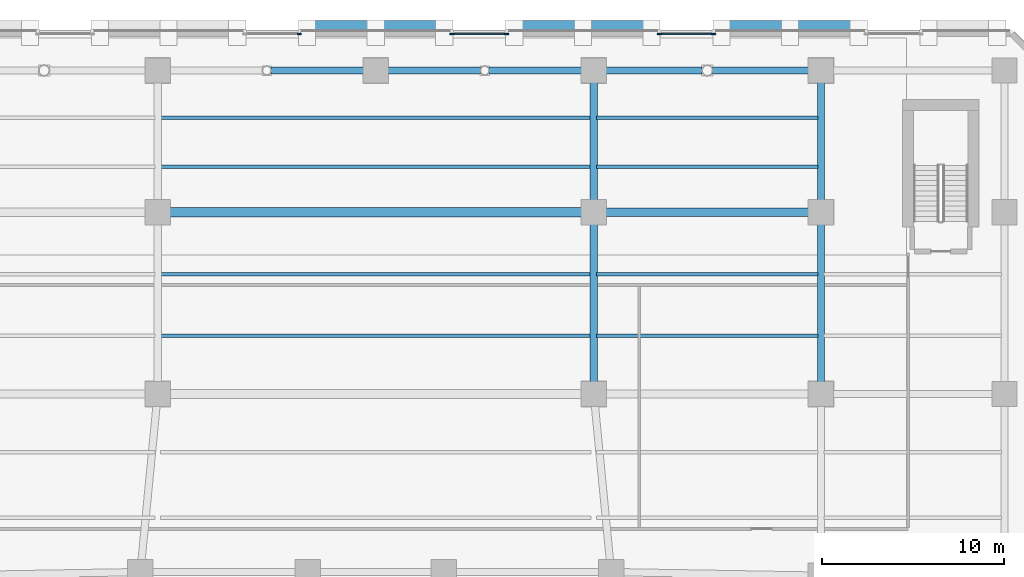
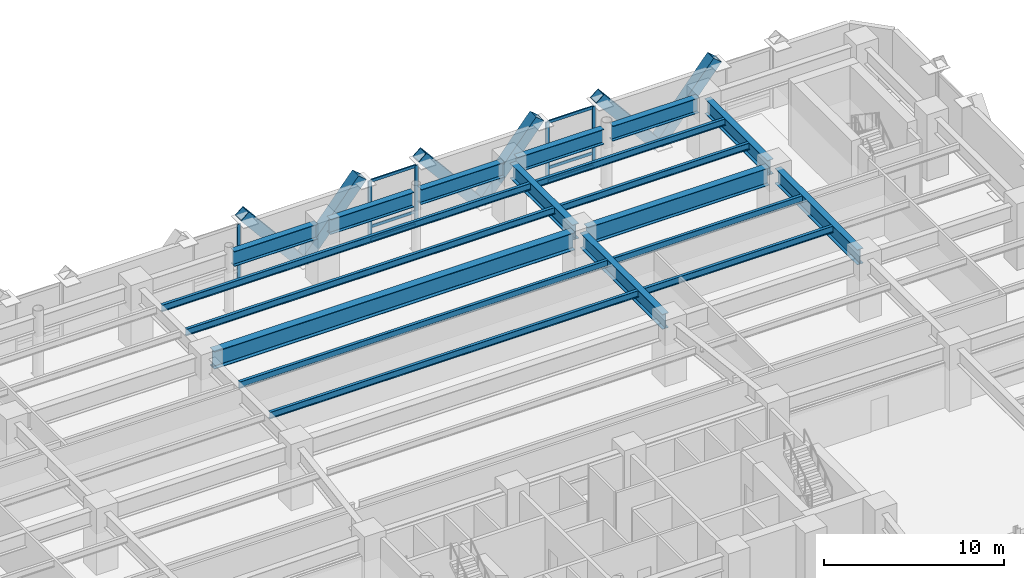
# One storey, part 9 of 26: 19 beams, 17 members, 3 elements without a shape of their own.
"""IFC4 building model written with IfcOpenShell, lengths in metres."""

from ifc_helpers import new_model, si_unit, direction, frame, origin, origin_2d, place, context, subcontext, project, spatial, rectangle, hollow_rectangle, i_section, extrude, material, material_profile, profile_set, type_object, element, aggregate, save


model = new_model("IFC4")

# Units and contexts
model_context = context("Model", 3, precision=1e-05, world=origin(), true_north=direction((0.0, 1.0)))
body_context = subcontext(model_context, "Body", "Model", "MODEL_VIEW")
ifc_project = project(units=[si_unit("LENGTHUNIT", "METRE"), si_unit("AREAUNIT", "SQUARE_METRE"), si_unit("VOLUMEUNIT", "CUBIC_METRE"), si_unit("PLANEANGLEUNIT", "RADIAN"), si_unit("MASSUNIT", "GRAM", prefix="KILO")], contexts=[model_context])

# Site, building, storey
site_placement = place(None, origin())
site = spatial("IfcSite", under=ifc_project, at=site_placement, CompositionType="ELEMENT")
building_placement = place(site_placement, origin())
building = spatial("IfcBuilding", under=site, at=building_placement, Name="Quenlor Broadcast Tower", CompositionType="ELEMENT")
storey_placement = place(building_placement, frame((0.0, 0.0, 18.5)))
storey = spatial("IfcBuildingStorey", under=building, at=storey_placement, Name="L04", CompositionType="ELEMENT", Elevation=18.5)

# Curtain wall, member
ifc_material_1 = material(Name="Architectural Terracotta and Low-E Glazing", Category="masonry")
curtain_wall_type = type_object("IfcCurtainWallType", Name="Station Concourse and Crown Terracotta Curtain Wall", PredefinedType="NOTDEFINED", material=ifc_material_1)
curtain_wall_1_placement = place(storey_placement, origin())
curtain_wall_1 = element("IfcCurtainWall", 1, at=curtain_wall_1_placement, inside=storey, type_object=curtain_wall_type, Name="L04 Curtain Wall CW6 (L04-N-FULL-G3)", PredefinedType="NOTDEFINED")
ifc_material_2 = material(Name="Aluminium 6063-T6", Category="aluminium")
ifc_material_profile_1 = material_profile(ifc_material_2, rectangle(XDim=0.08203125, YDim=0.239990234375, at=origin_2d()))
ifc_profile_set_1 = profile_set([ifc_material_profile_1], Name="Aluminium 6063-T6 MULL82x240")
member_type_1 = type_object("IfcMemberType", Name="CW6 Aluminium Mullion MULL_CW6", PredefinedType="MULLION", material=ifc_profile_set_1)
member_1_placement = place(storey_placement, frame((-4.2060546875, 24.820068359375, 0.0), z_axis=(0.0, 0.0, 1.0), x_axis=(0.0, 1.0, 0.0)))
member_1 = element("IfcMember", 2, at=member_1_placement, type_object=member_type_1, Name="CW6 mullion 2", PredefinedType="MULLION", context=body_context, shape_type="SweptSolid", body=[
    extrude(rectangle(XDim=0.08203125, YDim=0.239990234375, at=origin_2d()), origin(), (0.0, 0.0, 1.0), 4.080078125),
])
aggregate(curtain_wall_1, [member_1])

# Curtain wall, members
curtain_wall_2_placement = place(storey_placement, origin())
curtain_wall_2 = element("IfcCurtainWall", 3, at=curtain_wall_2_placement, inside=storey, type_object=curtain_wall_type, Name="L04 Curtain Wall CW6 (L04-N-FULL-G4)", PredefinedType="NOTDEFINED")
member_2_placement = place(storey_placement, frame((4.2060546875, 24.820068359375, 0.0), z_axis=(0.0, 0.0, 1.0), x_axis=(0.0, 1.0, 0.0)))
member_2 = element("IfcMember", 4, at=member_2_placement, type_object=member_type_1, Name="CW6 mullion 1", PredefinedType="MULLION", context=body_context, shape_type="SweptSolid", body=[
    extrude(rectangle(XDim=0.08203125, YDim=0.239990234375, at=origin_2d()), origin(), (0.0, 0.0, 1.0), 4.080078125),
])
member_3_placement = place(storey_placement, frame((7.19384765625, 24.820068359375, 0.0), z_axis=(0.0, 0.0, 1.0), x_axis=(0.0, 1.0, 0.0)))
member_3 = element("IfcMember", 5, at=member_3_placement, type_object=member_type_1, Name="CW6 mullion 2", PredefinedType="MULLION", context=body_context, shape_type="SweptSolid", body=[
    extrude(rectangle(XDim=0.08203125, YDim=0.239990234375, at=origin_2d()), origin(), (0.0, 0.0, 1.0), 4.080078125),
])

curtain_wall_3_placement = place(storey_placement, origin())
curtain_wall_3 = element("IfcCurtainWall", 6, at=curtain_wall_3_placement, inside=storey, type_object=curtain_wall_type, Name="L04 Curtain Wall CW6 (L04-N-FULL-G5)", PredefinedType="NOTDEFINED")
member_4_placement = place(storey_placement, frame((15.606201171875, 24.820068359375, 0.0), z_axis=(0.0, 0.0, 1.0), x_axis=(0.0, 1.0, 0.0)))
member_4 = element("IfcMember", 7, at=member_4_placement, type_object=member_type_1, Name="CW6 mullion 1", PredefinedType="MULLION", context=body_context, shape_type="SweptSolid", body=[
    extrude(rectangle(XDim=0.08203125, YDim=0.239990234375, at=origin_2d()), origin(), (0.0, 0.0, 1.0), 4.080078125),
])
member_5_placement = place(storey_placement, frame((18.593994140625, 24.820068359375, 0.0), z_axis=(0.0, 0.0, 1.0), x_axis=(0.0, 1.0, 0.0)))
member_5 = element("IfcMember", 8, at=member_5_placement, type_object=member_type_1, Name="CW6 mullion 2", PredefinedType="MULLION", context=body_context, shape_type="SweptSolid", body=[
    extrude(rectangle(XDim=0.08203125, YDim=0.239990234375, at=origin_2d()), origin(), (0.0, 0.0, 1.0), 4.080078125),
])

# Member
ifc_material_3 = material(Name="Aluminium 6063-T6", Category="aluminium")
ifc_material_profile_2 = material_profile(ifc_material_3, rectangle(XDim=0.08203125, YDim=0.195068359375, at=origin_2d()))
ifc_profile_set_2 = profile_set([ifc_material_profile_2], Name="Aluminium 6063-T6 TRAN82x195")
member_type_2 = type_object("IfcMemberType", Name="CW6 Aluminium Transom TRAN_CW6", PredefinedType="USERDEFINED", material=ifc_profile_set_2)
member_6_placement = place(storey_placement, frame((4.2470703125, 24.820068359375, 0.041015625), z_axis=(1.0, 0.0, 0.0), x_axis=(0.0, 1.0, 0.0)))
member_6 = element("IfcMember", 9, at=member_6_placement, type_object=member_type_2, Name="CW6 transom 1.1", ObjectType="TRANSOM", PredefinedType="USERDEFINED", context=body_context, shape_type="SweptSolid", body=[
    extrude(rectangle(XDim=0.08203125, YDim=0.195068359375, at=origin_2d()), origin(), (0.0, 0.0, 1.0), 2.90576171875),
])

member_7_placement = place(storey_placement, frame((4.2470703125, 24.820068359375, 0.949951171875), z_axis=(1.0, 0.0, 0.0), x_axis=(0.0, 1.0, 0.0)))
member_7 = element("IfcMember", 10, at=member_7_placement, type_object=member_type_2, Name="CW6 transom 1.2", ObjectType="TRANSOM", PredefinedType="USERDEFINED", context=body_context, shape_type="SweptSolid", body=[
    extrude(rectangle(XDim=0.08203125, YDim=0.195068359375, at=origin_2d()), origin(), (0.0, 0.0, 1.0), 2.90576171875),
])

member_8_placement = place(storey_placement, frame((4.2470703125, 24.820068359375, 4.0390625), z_axis=(1.0, 0.0, 0.0), x_axis=(0.0, 1.0, 0.0)))
member_8 = element("IfcMember", 11, at=member_8_placement, type_object=member_type_2, Name="CW6 transom 1.3", ObjectType="TRANSOM", PredefinedType="USERDEFINED", context=body_context, shape_type="SweptSolid", body=[
    extrude(rectangle(XDim=0.08203125, YDim=0.195068359375, at=origin_2d()), origin(), (0.0, 0.0, 1.0), 2.90576171875),
])

aggregate(curtain_wall_2, [member_2, member_3, member_6, member_7, member_8])

member_9_placement = place(storey_placement, frame((15.647216796875, 24.820068359375, 0.041015625), z_axis=(1.0, 0.0, 0.0), x_axis=(0.0, 1.0, 0.0)))
member_9 = element("IfcMember", 12, at=member_9_placement, type_object=member_type_2, Name="CW6 transom 1.1", ObjectType="TRANSOM", PredefinedType="USERDEFINED", context=body_context, shape_type="SweptSolid", body=[
    extrude(rectangle(XDim=0.08203125, YDim=0.195068359375, at=origin_2d()), origin(), (0.0, 0.0, 1.0), 2.90576171875),
])

member_10_placement = place(storey_placement, frame((15.647216796875, 24.820068359375, 0.949951171875), z_axis=(1.0, 0.0, 0.0), x_axis=(0.0, 1.0, 0.0)))
member_10 = element("IfcMember", 13, at=member_10_placement, type_object=member_type_2, Name="CW6 transom 1.2", ObjectType="TRANSOM", PredefinedType="USERDEFINED", context=body_context, shape_type="SweptSolid", body=[
    extrude(rectangle(XDim=0.08203125, YDim=0.195068359375, at=origin_2d()), origin(), (0.0, 0.0, 1.0), 2.90576171875),
])

member_11_placement = place(storey_placement, frame((15.647216796875, 24.820068359375, 4.0390625), z_axis=(1.0, 0.0, 0.0), x_axis=(0.0, 1.0, 0.0)))
member_11 = element("IfcMember", 14, at=member_11_placement, type_object=member_type_2, Name="CW6 transom 1.3", ObjectType="TRANSOM", PredefinedType="USERDEFINED", context=body_context, shape_type="SweptSolid", body=[
    extrude(rectangle(XDim=0.08203125, YDim=0.195068359375, at=origin_2d()), origin(), (0.0, 0.0, 1.0), 2.90576171875),
])

aggregate(curtain_wall_3, [member_4, member_5, member_9, member_10, member_11])

# Members
ifc_material_4 = material(Name="Steel S355", Category="steel")
ifc_material_profile_3 = material_profile(ifc_material_4, hollow_rectangle(XDim=0.679931640625, YDim=0.679931640625, WallThickness=0.034912109375, at=origin_2d()))
ifc_profile_set_3 = profile_set([ifc_material_profile_3], Name="Steel S355 RHS680x680x35")
member_type_3 = type_object("IfcMemberType", Name="Perimeter Diagonal Lattice Brace Z1 Steel S355 RHS680x35", PredefinedType="BRACE", material=ifc_profile_set_3)
for number, where, z_axis, x_axis, name in (
    (15, (-0.022705078125, 25.215087890625, -0.1201171875), (-0.640626831312, 0.0, 0.767852370578), (0.0, -1.0, 0.0), "L04 Podium Diamond Lattice N-P3B"),
    (16, (0.022705078125, 25.215087890625, -0.1201171875), (0.640626831312, 0.0, 0.767852370578), (0.0, 1.0, 0.0), "L04 Podium Diamond Lattice N-P4S"),
    (17, (11.377197265625, 25.215087890625, -0.1201171875), (-0.640626831312, 0.0, 0.767852370578), (0.0, -1.0, 0.0), "L04 Podium Diamond Lattice N-P4B"),
    (18, (11.4228515625, 25.215087890625, -0.1201171875), (0.640626831312, 0.0, 0.767852370578), (0.0, 1.0, 0.0), "L04 Podium Diamond Lattice N-P5S"),
    (19, (22.777099609375, 25.215087890625, -0.1201171875), (-0.640626831312, 0.0, 0.767852370578), (0.0, -1.0, 0.0), "L04 Podium Diamond Lattice N-P5B"),
    (20, (22.82275390625, 25.215087890625, -0.1201171875), (0.640626831312, 0.0, 0.767852370578), (0.0, 1.0, 0.0), "L04 Podium Diamond Lattice N-P6S"),
):
    element("IfcMember", number, at=place(storey_placement, frame(where, z_axis=z_axis, x_axis=x_axis)), inside=storey, type_object=member_type_3, Name=name, PredefinedType="BRACE", context=body_context, shape_type="SweptSolid", body=[
        extrude(hollow_rectangle(XDim=0.679931640625, YDim=0.679931640625, WallThickness=0.034912109375, at=origin_2d()), origin(), (0.0, 0.0, 1.0), 5.860595703125),
    ])

# Beams
ifc_material_5 = material(Name="Steel S355", Category="steel")
ifc_material_profile_4 = material_profile(ifc_material_5, i_section(OverallWidth=0.39990234375, OverallDepth=1.02392578125, WebThickness=0.01611328125, FlangeThickness=0.031982421875, FilletRadius=0.01611328125, at=origin_2d()))
ifc_profile_set_4 = profile_set([ifc_material_profile_4], Name="Steel S355 1000WB322")
beam_type_1 = type_object("IfcBeamType", Name="Podium Concourse Girder Steel S355 1000WB322", PredefinedType="BEAM", material=ifc_profile_set_4)
for number, where, z_axis, x_axis, name in (
    (21, (-5.76611328125, 22.800048828125, 3.568115234375), (1.0, 0.0, 0.0), (0.0, 1.0, 0.0), "L04 Podium Girder 28"),
    (22, (0.419921875, 22.800048828125, 3.568115234375), (1.0, 0.0, 0.0), (0.0, 1.0, 0.0), "L04 Podium Girder 29"),
    (23, (6.23388671875, 22.800048828125, 3.568115234375), (1.0, 0.0, 0.0), (0.0, 1.0, 0.0), "L04 Podium Girder 30"),
):
    element("IfcBeam", number, at=place(storey_placement, frame(where, z_axis=z_axis, x_axis=x_axis)), inside=storey, type_object=beam_type_1, Name=name, PredefinedType="BEAM", context=body_context, shape_type="SweptSolid", body=[
        extrude(i_section(OverallWidth=0.39990234375, OverallDepth=1.02392578125, WebThickness=0.01611328125, FlangeThickness=0.031982421875, FilletRadius=0.01611328125, at=origin_2d()), origin(), (0.0, 0.0, 1.0), 5.34619140625),
    ])
for number, where, z_axis, x_axis, name in (
    (24, (12.419921875, 22.800048828125, 3.568115234375), (1.0, 0.0, 0.0), (0.0, 1.0, 0.0), "L04 Podium Girder 31"),
    (25, (18.534912109375, 22.800048828125, 3.568115234375), (1.0, 0.0, 0.0), (0.0, 1.0, 0.0), "L04 Podium Girder 32"),
):
    element("IfcBeam", number, at=place(storey_placement, frame(where, z_axis=z_axis, x_axis=x_axis)), inside=storey, type_object=beam_type_1, Name=name, PredefinedType="BEAM", context=body_context, shape_type="SweptSolid", body=[
        extrude(i_section(OverallWidth=0.39990234375, OverallDepth=1.02392578125, WebThickness=0.01611328125, FlangeThickness=0.031982421875, FilletRadius=0.01611328125, at=origin_2d()), origin(), (0.0, 0.0, 1.0), 5.545166015625),
    ])
beam_1_placement = place(storey_placement, frame((24.5, 5.419921875, 3.568115234375), z_axis=(0.0, 1.0, 0.0), x_axis=(-1.0, 0.0, 0.0)))
element("IfcBeam", 26, at=beam_1_placement, inside=storey, type_object=beam_type_1, Name="L04 Podium Girder 47", PredefinedType="BEAM", context=body_context, shape_type="SweptSolid", body=[
    extrude(i_section(OverallWidth=0.39990234375, OverallDepth=1.02392578125, WebThickness=0.01611328125, FlangeThickness=0.031982421875, FilletRadius=0.01611328125, at=origin_2d()), origin(), (0.0, 0.0, 1.0), 9.16015625),
])
beam_2_placement = place(storey_placement, frame((24.5, 15.419921875, 3.568115234375), z_axis=(0.0, 1.0, 0.0), x_axis=(-1.0, 0.0, 0.0)))
element("IfcBeam", 27, at=beam_2_placement, inside=storey, type_object=beam_type_1, Name="L04 Podium Girder 48", PredefinedType="BEAM", context=body_context, shape_type="SweptSolid", body=[
    extrude(i_section(OverallWidth=0.39990234375, OverallDepth=1.02392578125, WebThickness=0.01611328125, FlangeThickness=0.031982421875, FilletRadius=0.01611328125, at=origin_2d()), origin(), (0.0, 0.0, 1.0), 6.9599609375),
])
beam_3_placement = place(storey_placement, frame((12.0, 5.419921875, 3.568115234375), z_axis=(0.0, 1.0, 0.0), x_axis=(-1.0, 0.0, 0.0)))
element("IfcBeam", 28, at=beam_3_placement, inside=storey, type_object=beam_type_1, Name="L04 Podium Girder 56", PredefinedType="BEAM", context=body_context, shape_type="SweptSolid", body=[
    extrude(i_section(OverallWidth=0.39990234375, OverallDepth=1.02392578125, WebThickness=0.01611328125, FlangeThickness=0.031982421875, FilletRadius=0.01611328125, at=origin_2d()), origin(), (0.0, 0.0, 1.0), 9.16015625),
])
beam_4_placement = place(storey_placement, frame((12.0, 15.419921875, 3.568115234375), z_axis=(0.0, 1.0, 0.0), x_axis=(-1.0, 0.0, 0.0)))
element("IfcBeam", 29, at=beam_4_placement, inside=storey, type_object=beam_type_1, Name="L04 Podium Girder 57", PredefinedType="BEAM", context=body_context, shape_type="SweptSolid", body=[
    extrude(i_section(OverallWidth=0.39990234375, OverallDepth=1.02392578125, WebThickness=0.01611328125, FlangeThickness=0.031982421875, FilletRadius=0.01611328125, at=origin_2d()), origin(), (0.0, 0.0, 1.0), 6.9599609375),
])
ifc_material_6 = material(Name="Steel S355", Category="steel")
ifc_material_profile_5 = material_profile(ifc_material_6, i_section(OverallWidth=0.18994140625, OverallDepth=0.453857421875, WebThickness=0.008544921875, FlangeThickness=0.0126953125, FilletRadius=0.011474609375, at=origin_2d()))
ifc_profile_set_5 = profile_set([ifc_material_profile_5], Name="Steel S355 460UB67.1")
beam_type_2 = type_object("IfcBeamType", Name="Podium Floor Joist Steel S355 460UB67.1", PredefinedType="JOIST", material=ifc_profile_set_5)
beam_5_placement = place(storey_placement, frame((-11.840087890625, 8.199951171875, 3.85302734375), z_axis=(1.0, 0.0, 0.0), x_axis=(0.0, 1.0, 0.0)))
element("IfcBeam", 30, at=beam_5_placement, inside=storey, type_object=beam_type_2, Name="L04 Podium Floor Joist 3", PredefinedType="JOIST", context=body_context, shape_type="SweptSolid", body=[
    extrude(i_section(OverallWidth=0.18994140625, OverallDepth=0.453857421875, WebThickness=0.008544921875, FlangeThickness=0.0126953125, FilletRadius=0.011474609375, at=origin_2d()), origin(), (0.0, 0.0, 1.0), 23.68017578125),
])
beam_6_placement = place(storey_placement, frame((12.159912109375, 8.199951171875, 3.85302734375), z_axis=(1.0, 0.0, 0.0), x_axis=(0.0, 1.0, 0.0)))
element("IfcBeam", 31, at=beam_6_placement, inside=storey, type_object=beam_type_2, Name="L04 Podium Floor Joist 4", PredefinedType="JOIST", context=body_context, shape_type="SweptSolid", body=[
    extrude(i_section(OverallWidth=0.18994140625, OverallDepth=0.453857421875, WebThickness=0.008544921875, FlangeThickness=0.0126953125, FilletRadius=0.011474609375, at=origin_2d()), origin(), (0.0, 0.0, 1.0), 12.18017578125),
])
beam_7_placement = place(storey_placement, frame((-11.840087890625, 11.60009765625, 3.85302734375), z_axis=(1.0, 0.0, 0.0), x_axis=(0.0, 1.0, 0.0)))
element("IfcBeam", 32, at=beam_7_placement, inside=storey, type_object=beam_type_2, Name="L04 Podium Floor Joist 8", PredefinedType="JOIST", context=body_context, shape_type="SweptSolid", body=[
    extrude(i_section(OverallWidth=0.18994140625, OverallDepth=0.453857421875, WebThickness=0.008544921875, FlangeThickness=0.0126953125, FilletRadius=0.011474609375, at=origin_2d()), origin(), (0.0, 0.0, 1.0), 23.68017578125),
])
beam_8_placement = place(storey_placement, frame((12.159912109375, 11.60009765625, 3.85302734375), z_axis=(1.0, 0.0, 0.0), x_axis=(0.0, 1.0, 0.0)))
element("IfcBeam", 33, at=beam_8_placement, inside=storey, type_object=beam_type_2, Name="L04 Podium Floor Joist 9", PredefinedType="JOIST", context=body_context, shape_type="SweptSolid", body=[
    extrude(i_section(OverallWidth=0.18994140625, OverallDepth=0.453857421875, WebThickness=0.008544921875, FlangeThickness=0.0126953125, FilletRadius=0.011474609375, at=origin_2d()), origin(), (0.0, 0.0, 1.0), 12.18017578125),
])
beam_9_placement = place(storey_placement, frame((-11.840087890625, 17.5, 3.85302734375), z_axis=(1.0, 0.0, 0.0), x_axis=(0.0, 1.0, 0.0)))
element("IfcBeam", 34, at=beam_9_placement, inside=storey, type_object=beam_type_2, Name="L04 Podium Floor Joist 13", PredefinedType="JOIST", context=body_context, shape_type="SweptSolid", body=[
    extrude(i_section(OverallWidth=0.18994140625, OverallDepth=0.453857421875, WebThickness=0.008544921875, FlangeThickness=0.0126953125, FilletRadius=0.011474609375, at=origin_2d()), origin(), (0.0, 0.0, 1.0), 23.68017578125),
])
beam_10_placement = place(storey_placement, frame((12.159912109375, 17.5, 3.85302734375), z_axis=(1.0, 0.0, 0.0), x_axis=(0.0, 1.0, 0.0)))
element("IfcBeam", 35, at=beam_10_placement, inside=storey, type_object=beam_type_2, Name="L04 Podium Floor Joist 14", PredefinedType="JOIST", context=body_context, shape_type="SweptSolid", body=[
    extrude(i_section(OverallWidth=0.18994140625, OverallDepth=0.453857421875, WebThickness=0.008544921875, FlangeThickness=0.0126953125, FilletRadius=0.011474609375, at=origin_2d()), origin(), (0.0, 0.0, 1.0), 12.18017578125),
])
beam_11_placement = place(storey_placement, frame((-11.840087890625, 20.199951171875, 3.85302734375), z_axis=(1.0, 0.0, 0.0), x_axis=(0.0, 1.0, 0.0)))
element("IfcBeam", 36, at=beam_11_placement, inside=storey, type_object=beam_type_2, Name="L04 Podium Floor Joist 18", PredefinedType="JOIST", context=body_context, shape_type="SweptSolid", body=[
    extrude(i_section(OverallWidth=0.18994140625, OverallDepth=0.453857421875, WebThickness=0.008544921875, FlangeThickness=0.0126953125, FilletRadius=0.011474609375, at=origin_2d()), origin(), (0.0, 0.0, 1.0), 23.68017578125),
])
beam_12_placement = place(storey_placement, frame((12.159912109375, 20.199951171875, 3.85302734375), z_axis=(1.0, 0.0, 0.0), x_axis=(0.0, 1.0, 0.0)))
element("IfcBeam", 37, at=beam_12_placement, inside=storey, type_object=beam_type_2, Name="L04 Podium Floor Joist 19", PredefinedType="JOIST", context=body_context, shape_type="SweptSolid", body=[
    extrude(i_section(OverallWidth=0.18994140625, OverallDepth=0.453857421875, WebThickness=0.008544921875, FlangeThickness=0.0126953125, FilletRadius=0.011474609375, at=origin_2d()), origin(), (0.0, 0.0, 1.0), 12.18017578125),
])
ifc_material_7 = material(Name="Steel S355", Category="steel")
ifc_material_profile_6 = material_profile(ifc_material_7, i_section(OverallWidth=0.5, OverallDepth=1.199951171875, WebThickness=0.02001953125, FlangeThickness=0.035888671875, FilletRadius=0.01611328125, at=origin_2d()))
ifc_profile_set_6 = profile_set([ifc_material_profile_6], Name="Steel S355 1200WB455")
beam_type_3 = type_object("IfcBeamType", Name="Podium Long Span Studio Girder Steel S355 1200WB455", PredefinedType="BEAM", material=ifc_profile_set_6)
beam_13_placement = place(storey_placement, frame((-11.580078125, 15.0, 3.47998046875), z_axis=(1.0, 0.0, 0.0), x_axis=(0.0, 1.0, 0.0)))
element("IfcBeam", 38, at=beam_13_placement, inside=storey, type_object=beam_type_3, Name="L04 Podium Girder 21", PredefinedType="BEAM", context=body_context, shape_type="SweptSolid", body=[
    extrude(i_section(OverallWidth=0.5, OverallDepth=1.199951171875, WebThickness=0.02001953125, FlangeThickness=0.035888671875, FilletRadius=0.01611328125, at=origin_2d()), origin(), (0.0, 0.0, 1.0), 23.16015625),
])
ifc_material_8 = material(Name="Steel S355", Category="steel")
ifc_material_profile_7 = material_profile(ifc_material_8, i_section(OverallWidth=0.449951171875, OverallDepth=1.18798828125, WebThickness=0.01806640625, FlangeThickness=0.031982421875, FilletRadius=0.01611328125, at=origin_2d()))
ifc_profile_set_7 = profile_set([ifc_material_profile_7], Name="Steel S355 1200WB392")
beam_type_4 = type_object("IfcBeamType", Name="Podium Secondary Studio Girder Steel S355 1200WB392", PredefinedType="BEAM", material=ifc_profile_set_7)
beam_14_placement = place(storey_placement, frame((12.419921875, 15.0, 3.486083984375), z_axis=(1.0, 0.0, 0.0), x_axis=(0.0, 1.0, 0.0)))
element("IfcBeam", 39, at=beam_14_placement, inside=storey, type_object=beam_type_4, Name="L04 Podium Girder 22", PredefinedType="BEAM", context=body_context, shape_type="SweptSolid", body=[
    extrude(i_section(OverallWidth=0.449951171875, OverallDepth=1.18798828125, WebThickness=0.01806640625, FlangeThickness=0.031982421875, FilletRadius=0.01611328125, at=origin_2d()), origin(), (0.0, 0.0, 1.0), 11.66015625),
])

save(model, "model.ifc")
